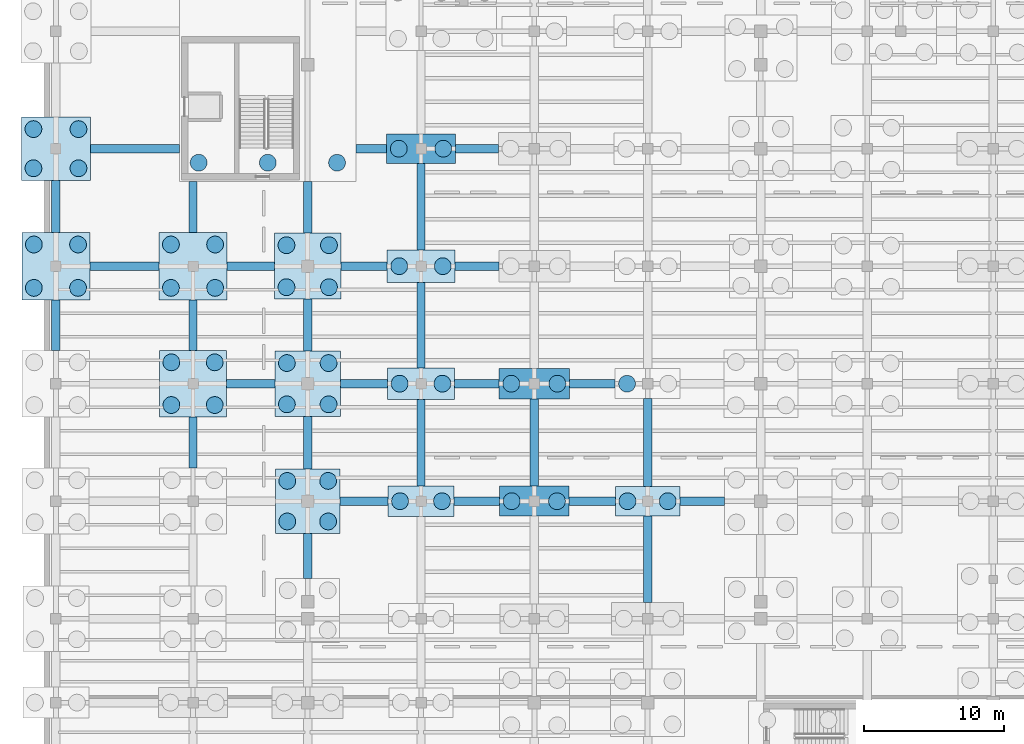
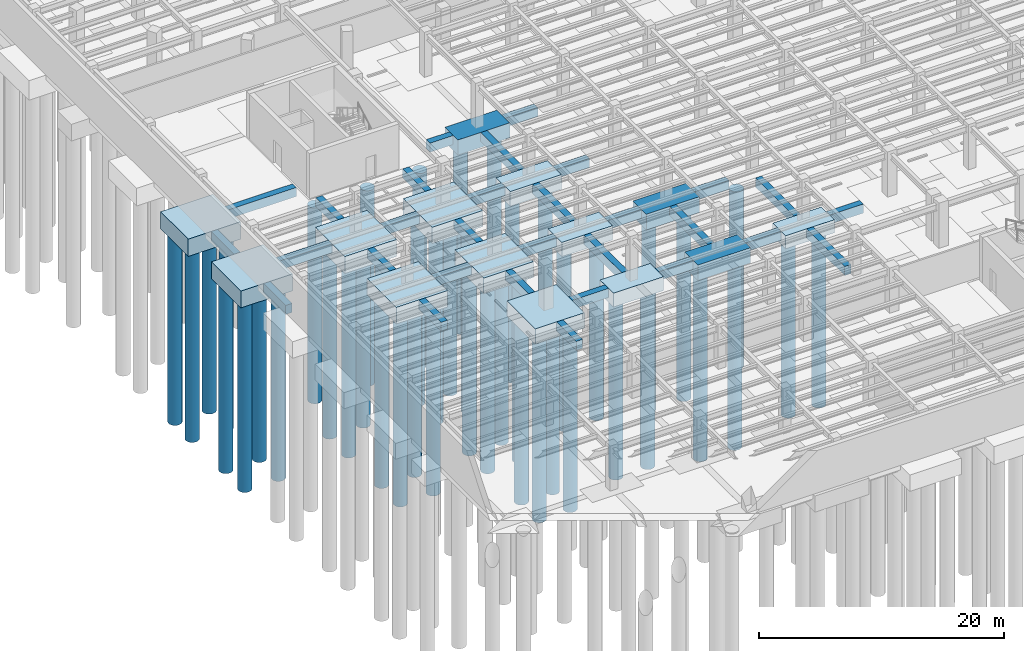
# One storey, part 3 of 49: 46 piles, 44 footings.
"""IFC4 building model written with IfcOpenShell, lengths in metres."""

from ifc_helpers import new_model, si_unit, direction, frame, origin, origin_2d, place, context, subcontext, project, spatial, rectangle, circle, extrude, material, material_profile, profile_set, type_object, element, save


model = new_model("IFC4")

# Units and contexts
model_context = context("Model", 3, precision=1e-05, world=origin(), true_north=direction((0.0, 1.0)))
body_context = subcontext(model_context, "Body", "Model", "MODEL_VIEW")
ifc_project = project(units=[si_unit("LENGTHUNIT", "METRE"), si_unit("AREAUNIT", "SQUARE_METRE"), si_unit("VOLUMEUNIT", "CUBIC_METRE"), si_unit("PLANEANGLEUNIT", "RADIAN"), si_unit("MASSUNIT", "GRAM", prefix="KILO")], contexts=[model_context])

# Site, building, storey
site_placement = place(None, origin())
site = spatial("IfcSite", under=ifc_project, at=site_placement, CompositionType="ELEMENT")
building_placement = place(site_placement, origin())
building = spatial("IfcBuilding", under=site, at=building_placement, Name="Sollismere Congress Hotel", CompositionType="ELEMENT")
storey_placement = place(building_placement, frame((0.0, 0.0, -4.5)))
storey = spatial("IfcBuildingStorey", under=building, at=storey_placement, Name="B1", CompositionType="ELEMENT", Elevation=-4.5)

# Footings
ifc_material = material(Name="Concrete C40/50", Category="concrete")
footing_type_1 = type_object("IfcFootingType", Name="FT-GB600", PredefinedType="FOOTING_BEAM", material=ifc_material)
footing_1_placement = place(storey_placement, frame((22.030029296875, 33.199951171875, -0.89990234375), z_axis=(0.0, 0.0, 1.0), x_axis=(1.0, 0.0, 0.0)))
element("IfcFooting", 1, at=footing_1_placement, inside=storey, type_object=footing_type_1, Name="FTG-GB-051", PredefinedType="FOOTING_BEAM", context=body_context, shape_type="SweptSolid", body=[
    extrude(rectangle(XDim=3.419921875, YDim=0.60009765625, at=origin_2d()), origin(), (0.0, 0.0, 1.0), 0.89990234375),
])
footing_2_placement = place(storey_placement, frame((30.090087890625, 33.199951171875, -0.89990234375), z_axis=(0.0, 0.0, 1.0), x_axis=(1.0, 0.0, 0.0)))
element("IfcFooting", 2, at=footing_2_placement, inside=storey, type_object=footing_type_1, Name="FTG-GB-052", PredefinedType="FOOTING_BEAM", context=body_context, shape_type="SweptSolid", body=[
    extrude(rectangle(XDim=3.260009765625, YDim=0.60009765625, at=origin_2d()), origin(), (0.0, 0.0, 1.0), 0.89990234375),
])
footing_3_placement = place(storey_placement, frame((38.340087890625, 33.199951171875, -0.89990234375), z_axis=(0.0, 0.0, 1.0), x_axis=(1.0, 0.0, 0.0)))
element("IfcFooting", 3, at=footing_3_placement, inside=storey, type_object=footing_type_1, Name="FTG-GB-053", PredefinedType="FOOTING_BEAM", context=body_context, shape_type="SweptSolid", body=[
    extrude(rectangle(XDim=3.320068359375, YDim=0.60009765625, at=origin_2d()), origin(), (0.0, 0.0, 1.0), 0.89990234375),
])
footing_4_placement = place(storey_placement, frame((46.18994140625, 33.199951171875, -0.89990234375), z_axis=(0.0, 0.0, 1.0), x_axis=(1.0, 0.0, 0.0)))
element("IfcFooting", 4, at=footing_4_placement, inside=storey, type_object=footing_type_1, Name="FTG-GB-054", PredefinedType="FOOTING_BEAM", context=body_context, shape_type="SweptSolid", body=[
    extrude(rectangle(XDim=3.179931640625, YDim=0.60009765625, at=origin_2d()), origin(), (0.0, 0.0, 1.0), 0.89990234375),
])
footing_5_placement = place(storey_placement, frame((13.929931640625, 41.60009765625, -0.89990234375), z_axis=(0.0, 0.0, 1.0), x_axis=(1.0, 0.0, 0.0)))
element("IfcFooting", 5, at=footing_5_placement, inside=storey, type_object=footing_type_1, Name="FTG-GB-067", PredefinedType="FOOTING_BEAM", context=body_context, shape_type="SweptSolid", body=[
    extrude(rectangle(XDim=3.43994140625, YDim=0.60009765625, at=origin_2d()), origin(), (0.0, 0.0, 1.0), 0.89990234375),
])
footing_6_placement = place(storey_placement, frame((22.030029296875, 41.60009765625, -0.89990234375), z_axis=(0.0, 0.0, 1.0), x_axis=(1.0, 0.0, 0.0)))
element("IfcFooting", 6, at=footing_6_placement, inside=storey, type_object=footing_type_1, Name="FTG-GB-068", PredefinedType="FOOTING_BEAM", context=body_context, shape_type="SweptSolid", body=[
    extrude(rectangle(XDim=3.360107421875, YDim=0.60009765625, at=origin_2d()), origin(), (0.0, 0.0, 1.0), 0.89990234375),
])
footing_7_placement = place(storey_placement, frame((30.090087890625, 41.60009765625, -0.89990234375), z_axis=(0.0, 0.0, 1.0), x_axis=(1.0, 0.0, 0.0)))
element("IfcFooting", 7, at=footing_7_placement, inside=storey, type_object=footing_type_1, Name="FTG-GB-069", PredefinedType="FOOTING_BEAM", context=body_context, shape_type="SweptSolid", body=[
    extrude(rectangle(XDim=3.199951171875, YDim=0.60009765625, at=origin_2d()), origin(), (0.0, 0.0, 1.0), 0.89990234375),
])
footing_8_placement = place(storey_placement, frame((38.340087890625, 41.60009765625, -0.89990234375), z_axis=(0.0, 0.0, 1.0), x_axis=(1.0, 0.0, 0.0)))
element("IfcFooting", 8, at=footing_8_placement, inside=storey, type_object=footing_type_1, Name="FTG-GB-070", PredefinedType="FOOTING_BEAM", context=body_context, shape_type="SweptSolid", body=[
    extrude(rectangle(XDim=3.260009765625, YDim=0.60009765625, at=origin_2d()), origin(), (0.0, 0.0, 1.0), 0.89990234375),
])
footing_9_placement = place(storey_placement, frame((4.89990234375, 50.0, -0.89990234375), z_axis=(0.0, 0.0, 1.0), x_axis=(1.0, 0.0, 0.0)))
element("IfcFooting", 9, at=footing_9_placement, inside=storey, type_object=footing_type_1, Name="FTG-GB-083", PredefinedType="FOOTING_BEAM", context=body_context, shape_type="SweptSolid", body=[
    extrude(rectangle(XDim=4.919921875, YDim=0.60009765625, at=origin_2d()), origin(), (0.0, 0.0, 1.0), 0.89990234375),
])
footing_10_placement = place(storey_placement, frame((13.929931640625, 50.0, -0.89990234375), z_axis=(0.0, 0.0, 1.0), x_axis=(1.0, 0.0, 0.0)))
element("IfcFooting", 10, at=footing_10_placement, inside=storey, type_object=footing_type_1, Name="FTG-GB-084", PredefinedType="FOOTING_BEAM", context=body_context, shape_type="SweptSolid", body=[
    extrude(rectangle(XDim=3.3798828125, YDim=0.60009765625, at=origin_2d()), origin(), (0.0, 0.0, 1.0), 0.89990234375),
])
footing_11_placement = place(storey_placement, frame((22.030029296875, 50.0, -0.89990234375), z_axis=(0.0, 0.0, 1.0), x_axis=(1.0, 0.0, 0.0)))
element("IfcFooting", 11, at=footing_11_placement, inside=storey, type_object=footing_type_1, Name="FTG-GB-085", PredefinedType="FOOTING_BEAM", context=body_context, shape_type="SweptSolid", body=[
    extrude(rectangle(XDim=3.300048828125, YDim=0.60009765625, at=origin_2d()), origin(), (0.0, 0.0, 1.0), 0.89990234375),
])
footing_12_placement = place(storey_placement, frame((30.090087890625, 50.0, -0.89990234375), z_axis=(0.0, 0.0, 1.0), x_axis=(1.0, 0.0, 0.0)))
element("IfcFooting", 12, at=footing_12_placement, inside=storey, type_object=footing_type_1, Name="FTG-GB-086", PredefinedType="FOOTING_BEAM", context=body_context, shape_type="SweptSolid", body=[
    extrude(rectangle(XDim=3.139892578125, YDim=0.60009765625, at=origin_2d()), origin(), (0.0, 0.0, 1.0), 0.89990234375),
])
footing_13_placement = place(storey_placement, frame((5.66015625, 58.39990234375, -0.89990234375), z_axis=(0.0, 0.0, 1.0), x_axis=(1.0, 0.0, 0.0)))
element("IfcFooting", 13, at=footing_13_placement, inside=storey, type_object=footing_type_1, Name="FTG-GB-098", PredefinedType="FOOTING_BEAM", context=body_context, shape_type="SweptSolid", body=[
    extrude(rectangle(XDim=6.380126953125, YDim=0.60009765625, at=origin_2d()), origin(), (0.0, 0.0, 1.0), 0.89990234375),
])
footing_14_placement = place(storey_placement, frame((22.549072265625, 58.39990234375, -0.89990234375), z_axis=(0.0, 0.0, 1.0), x_axis=(1.0, 0.0, 0.0)))
element("IfcFooting", 14, at=footing_14_placement, inside=storey, type_object=footing_type_1, Name="FTG-GB-099", PredefinedType="FOOTING_BEAM", context=body_context, shape_type="SweptSolid", body=[
    extrude(rectangle(XDim=2.201904296875, YDim=0.60009765625, at=origin_2d()), origin(), (0.0, 0.0, 1.0), 0.89990234375),
])
footing_15_placement = place(storey_placement, frame((30.090087890625, 58.39990234375, -0.89990234375), z_axis=(0.0, 0.0, 1.0), x_axis=(1.0, 0.0, 0.0)))
element("IfcFooting", 15, at=footing_15_placement, inside=storey, type_object=footing_type_1, Name="FTG-GB-100", PredefinedType="FOOTING_BEAM", context=body_context, shape_type="SweptSolid", body=[
    extrude(rectangle(XDim=3.080078125, YDim=0.60009765625, at=origin_2d()), origin(), (0.0, 0.0, 1.0), 0.89990234375),
])
footing_16_placement = place(storey_placement, frame((0.0, 45.78759765625, -0.89990234375), z_axis=(0.0, 0.0, 1.0), x_axis=(0.0, 1.0, 0.0)))
element("IfcFooting", 16, at=footing_16_placement, inside=storey, type_object=footing_type_1, Name="FTG-GB-221", PredefinedType="FOOTING_BEAM", context=body_context, shape_type="SweptSolid", body=[
    extrude(rectangle(XDim=3.60498046875, YDim=0.60009765625, at=origin_2d()), origin(), (0.0, 0.0, 1.0), 0.89990234375),
])
footing_17_placement = place(storey_placement, frame((0.0, 54.27490234375, -0.89990234375), z_axis=(0.0, 0.0, 1.0), x_axis=(0.0, 1.0, 0.0)))
element("IfcFooting", 17, at=footing_17_placement, inside=storey, type_object=footing_type_1, Name="FTG-GB-222", PredefinedType="FOOTING_BEAM", context=body_context, shape_type="SweptSolid", body=[
    extrude(rectangle(XDim=3.72998046875, YDim=0.60009765625, at=origin_2d()), origin(), (0.0, 0.0, 1.0), 0.89990234375),
])
footing_18_placement = place(storey_placement, frame((9.800048828125, 37.387451171875, -0.89990234375), z_axis=(0.0, 0.0, 1.0), x_axis=(0.0, 1.0, 0.0)))
element("IfcFooting", 18, at=footing_18_placement, inside=storey, type_object=footing_type_1, Name="FTG-GB-232", PredefinedType="FOOTING_BEAM", context=body_context, shape_type="SweptSolid", body=[
    extrude(rectangle(XDim=3.655029296875, YDim=0.60009765625, at=origin_2d()), origin(), (0.0, 0.0, 1.0), 0.89990234375),
])
footing_19_placement = place(storey_placement, frame((9.800048828125, 45.78759765625, -0.89990234375), z_axis=(0.0, 0.0, 1.0), x_axis=(0.0, 1.0, 0.0)))
element("IfcFooting", 19, at=footing_19_placement, inside=storey, type_object=footing_type_1, Name="FTG-GB-233", PredefinedType="FOOTING_BEAM", context=body_context, shape_type="SweptSolid", body=[
    extrude(rectangle(XDim=3.60498046875, YDim=0.60009765625, at=origin_2d()), origin(), (0.0, 0.0, 1.0), 0.89990234375),
])
footing_20_placement = place(storey_placement, frame((9.800048828125, 54.22998046875, -0.89990234375), z_axis=(0.0, 0.0, 1.0), x_axis=(0.0, 1.0, 0.0)))
element("IfcFooting", 20, at=footing_20_placement, inside=storey, type_object=footing_type_1, Name="FTG-GB-234", PredefinedType="FOOTING_BEAM", context=body_context, shape_type="SweptSolid", body=[
    extrude(rectangle(XDim=3.639892578125, YDim=0.60009765625, at=origin_2d()), origin(), (0.0, 0.0, 1.0), 0.89990234375),
])
footing_21_placement = place(storey_placement, frame((18.0, 29.28759765625, -0.89990234375), z_axis=(0.0, 0.0, 1.0), x_axis=(0.0, 1.0, 0.0)))
element("IfcFooting", 21, at=footing_21_placement, inside=storey, type_object=footing_type_1, Name="FTG-GB-242", PredefinedType="FOOTING_BEAM", context=body_context, shape_type="SweptSolid", body=[
    extrude(rectangle(XDim=3.205078125, YDim=0.60009765625, at=origin_2d()), origin(), (0.0, 0.0, 1.0), 0.89990234375),
])
footing_22_placement = place(storey_placement, frame((18.0, 37.387451171875, -0.89990234375), z_axis=(0.0, 0.0, 1.0), x_axis=(0.0, 1.0, 0.0)))
element("IfcFooting", 22, at=footing_22_placement, inside=storey, type_object=footing_type_1, Name="FTG-GB-243", PredefinedType="FOOTING_BEAM", context=body_context, shape_type="SweptSolid", body=[
    extrude(rectangle(XDim=3.7548828125, YDim=0.60009765625, at=origin_2d()), origin(), (0.0, 0.0, 1.0), 0.89990234375),
])
footing_23_placement = place(storey_placement, frame((18.0, 45.78759765625, -0.89990234375), z_axis=(0.0, 0.0, 1.0), x_axis=(0.0, 1.0, 0.0)))
element("IfcFooting", 23, at=footing_23_placement, inside=storey, type_object=footing_type_1, Name="FTG-GB-244", PredefinedType="FOOTING_BEAM", context=body_context, shape_type="SweptSolid", body=[
    extrude(rectangle(XDim=3.705078125, YDim=0.60009765625, at=origin_2d()), origin(), (0.0, 0.0, 1.0), 0.89990234375),
])
footing_24_placement = place(storey_placement, frame((18.0, 54.204833984375, -0.89990234375), z_axis=(0.0, 0.0, 1.0), x_axis=(0.0, 1.0, 0.0)))
element("IfcFooting", 24, at=footing_24_placement, inside=storey, type_object=footing_type_1, Name="FTG-GB-245", PredefinedType="FOOTING_BEAM", context=body_context, shape_type="SweptSolid", body=[
    extrude(rectangle(XDim=3.68994140625, YDim=0.60009765625, at=origin_2d()), origin(), (0.0, 0.0, 1.0), 0.89990234375),
])
footing_25_placement = place(storey_placement, frame((26.10009765625, 37.387451171875, -0.89990234375), z_axis=(0.0, 0.0, 1.0), x_axis=(0.0, 1.0, 0.0)))
element("IfcFooting", 25, at=footing_25_placement, inside=storey, type_object=footing_type_1, Name="FTG-GB-255", PredefinedType="FOOTING_BEAM", context=body_context, shape_type="SweptSolid", body=[
    extrude(rectangle(XDim=6.175048828125, YDim=0.60009765625, at=origin_2d()), origin(), (0.0, 0.0, 1.0), 0.89990234375),
])
footing_26_placement = place(storey_placement, frame((26.10009765625, 45.78759765625, -0.89990234375), z_axis=(0.0, 0.0, 1.0), x_axis=(0.0, 1.0, 0.0)))
element("IfcFooting", 26, at=footing_26_placement, inside=storey, type_object=footing_type_1, Name="FTG-GB-256", PredefinedType="FOOTING_BEAM", context=body_context, shape_type="SweptSolid", body=[
    extrude(rectangle(XDim=6.125, YDim=0.60009765625, at=origin_2d()), origin(), (0.0, 0.0, 1.0), 0.89990234375),
])
footing_27_placement = place(storey_placement, frame((26.10009765625, 54.25, -0.89990234375), z_axis=(0.0, 0.0, 1.0), x_axis=(0.0, 1.0, 0.0)))
element("IfcFooting", 27, at=footing_27_placement, inside=storey, type_object=footing_type_1, Name="FTG-GB-257", PredefinedType="FOOTING_BEAM", context=body_context, shape_type="SweptSolid", body=[
    extrude(rectangle(XDim=6.199951171875, YDim=0.60009765625, at=origin_2d()), origin(), (0.0, 0.0, 1.0), 0.89990234375),
])
footing_28_placement = place(storey_placement, frame((34.199951171875, 37.387451171875, -0.89990234375), z_axis=(0.0, 0.0, 1.0), x_axis=(0.0, 1.0, 0.0)))
element("IfcFooting", 28, at=footing_28_placement, inside=storey, type_object=footing_type_1, Name="FTG-GB-268", PredefinedType="FOOTING_BEAM", context=body_context, shape_type="SweptSolid", body=[
    extrude(rectangle(XDim=6.22509765625, YDim=0.60009765625, at=origin_2d()), origin(), (0.0, 0.0, 1.0), 0.89990234375),
])
footing_29_placement = place(storey_placement, frame((42.300048828125, 29.050048828125, -0.89990234375), z_axis=(0.0, 0.0, 1.0), x_axis=(0.0, 1.0, 0.0)))
element("IfcFooting", 29, at=footing_29_placement, inside=storey, type_object=footing_type_1, Name="FTG-GB-280", PredefinedType="FOOTING_BEAM", context=body_context, shape_type="SweptSolid", body=[
    extrude(rectangle(XDim=6.199951171875, YDim=0.60009765625, at=origin_2d()), origin(), (0.0, 0.0, 1.0), 0.89990234375),
])
footing_30_placement = place(storey_placement, frame((42.300048828125, 37.387451171875, -0.89990234375), z_axis=(0.0, 0.0, 1.0), x_axis=(0.0, 1.0, 0.0)))
element("IfcFooting", 30, at=footing_30_placement, inside=storey, type_object=footing_type_1, Name="FTG-GB-281", PredefinedType="FOOTING_BEAM", context=body_context, shape_type="SweptSolid", body=[
    extrude(rectangle(XDim=6.27490234375, YDim=0.60009765625, at=origin_2d()), origin(), (0.0, 0.0, 1.0), 0.89990234375),
])
footing_type_2 = type_object("IfcFootingType", Name="FT-PC2-01", PredefinedType="PILE_CAP", material=ifc_material)
footing_31_placement = place(storey_placement, frame((42.300048828125, 33.199951171875, -1.2998046875), z_axis=(0.0, 0.0, 1.0), x_axis=(1.0, 0.0, 0.0)))
element("IfcFooting", 31, at=footing_31_placement, inside=storey, type_object=footing_type_2, Name="Reinforced concrete pile cap PC-071", PredefinedType="PILE_CAP", context=body_context, shape_type="SweptSolid", body=[
    extrude(rectangle(XDim=4.60009765625, YDim=2.10009765625, at=origin_2d()), origin(), (0.0, 0.0, 1.0), 1.300048828125),
])
footing_type_3 = type_object("IfcFootingType", Name="FT-PC2-03", PredefinedType="PILE_CAP", material=ifc_material)
footing_32_placement = place(storey_placement, frame((26.10009765625, 33.199951171875, -1.3798828125), z_axis=(0.0, 0.0, 1.0), x_axis=(1.0, 0.0, 0.0)))
element("IfcFooting", 32, at=footing_32_placement, inside=storey, type_object=footing_type_3, Name="Reinforced concrete pile cap PC-043", PredefinedType="PILE_CAP", context=body_context, shape_type="SweptSolid", body=[
    extrude(rectangle(XDim=4.719970703125, YDim=2.199951171875, at=origin_2d()), origin(), (0.0, 0.0, 1.0), 1.3798828125),
])
footing_type_4 = type_object("IfcFootingType", Name="FT-PC2-04", PredefinedType="PILE_CAP", material=ifc_material)
footing_33_placement = place(storey_placement, frame((26.10009765625, 41.60009765625, -1.419921875), z_axis=(0.0, 0.0, 1.0), x_axis=(1.0, 0.0, 0.0)))
element("IfcFooting", 33, at=footing_33_placement, inside=storey, type_object=footing_type_4, Name="Reinforced concrete pile cap PC-044", PredefinedType="PILE_CAP", context=body_context, shape_type="SweptSolid", body=[
    extrude(rectangle(XDim=4.780029296875, YDim=2.25, at=origin_2d()), origin(), (0.0, 0.0, 1.0), 1.419921875),
])
footing_type_5 = type_object("IfcFootingType", Name="FT-PC2-05", PredefinedType="PILE_CAP", material=ifc_material)
footing_34_placement = place(storey_placement, frame((26.10009765625, 50.0, -1.4599609375), z_axis=(0.0, 0.0, 1.0), x_axis=(1.0, 0.0, 0.0)))
element("IfcFooting", 34, at=footing_34_placement, inside=storey, type_object=footing_type_5, Name="Reinforced concrete pile cap PC-045", PredefinedType="PILE_CAP", context=body_context, shape_type="SweptSolid", body=[
    extrude(rectangle(XDim=4.840087890625, YDim=2.300048828125, at=origin_2d()), origin(), (0.0, 0.0, 1.0), 1.4599609375),
])
footing_type_6 = type_object("IfcFootingType", Name="FT-PC2-06", PredefinedType="PILE_CAP", material=ifc_material)
footing_35_placement = place(storey_placement, frame((26.10009765625, 58.39990234375, -1.5), z_axis=(0.0, 0.0, 1.0), x_axis=(1.0, 0.0, 0.0)))
element("IfcFooting", 35, at=footing_35_placement, inside=storey, type_object=footing_type_6, Name="Reinforced concrete pile cap PC-046", PredefinedType="PILE_CAP", context=body_context, shape_type="SweptSolid", body=[
    extrude(rectangle(XDim=4.89990234375, YDim=2.10009765625, at=origin_2d()), origin(), (0.0, 0.0, 1.0), 1.5),
])
footing_type_7 = type_object("IfcFootingType", Name="FT-PC2-07", PredefinedType="PILE_CAP", material=ifc_material)
footing_36_placement = place(storey_placement, frame((34.199951171875, 33.199951171875, -1.5400390625), z_axis=(0.0, 0.0, 1.0), x_axis=(1.0, 0.0, 0.0)))
element("IfcFooting", 36, at=footing_36_placement, inside=storey, type_object=footing_type_7, Name="Reinforced concrete pile cap PC-057", PredefinedType="PILE_CAP", context=body_context, shape_type="SweptSolid", body=[
    extrude(rectangle(XDim=4.9599609375, YDim=2.14990234375, at=origin_2d()), origin(), (0.0, 0.0, 1.0), 1.5400390625),
])
footing_type_8 = type_object("IfcFootingType", Name="FT-PC2-08", PredefinedType="PILE_CAP", material=ifc_material)
footing_37_placement = place(storey_placement, frame((34.199951171875, 41.60009765625, -1.580078125), z_axis=(0.0, 0.0, 1.0), x_axis=(1.0, 0.0, 0.0)))
element("IfcFooting", 37, at=footing_37_placement, inside=storey, type_object=footing_type_8, Name="Reinforced concrete pile cap PC-058", PredefinedType="PILE_CAP", context=body_context, shape_type="SweptSolid", body=[
    extrude(rectangle(XDim=5.02001953125, YDim=2.199951171875, at=origin_2d()), origin(), (0.0, 0.0, 1.0), 1.580078125),
])
footing_type_9 = type_object("IfcFootingType", Name="FT-PC4-03", PredefinedType="PILE_CAP", material=ifc_material)
footing_38_placement = place(storey_placement, frame((18.0, 33.199951171875, -1.52978515625), z_axis=(0.0, 0.0, 1.0), x_axis=(1.0, 0.0, 0.0)))
element("IfcFooting", 38, at=footing_38_placement, inside=storey, type_object=footing_type_9, Name="Reinforced concrete pile cap PC-031", PredefinedType="PILE_CAP", context=body_context, shape_type="SweptSolid", body=[
    extrude(rectangle(XDim=4.639892578125, YDim=4.6201171875, at=origin_2d()), origin(), (0.0, 0.0, 1.0), 1.530029296875),
])
footing_type_10 = type_object("IfcFootingType", Name="FT-PC4-04", PredefinedType="PILE_CAP", material=ifc_material)
footing_39_placement = place(storey_placement, frame((18.0, 41.60009765625, -1.56982421875), z_axis=(0.0, 0.0, 1.0), x_axis=(1.0, 0.0, 0.0)))
element("IfcFooting", 39, at=footing_39_placement, inside=storey, type_object=footing_type_10, Name="Reinforced concrete pile cap PC-032", PredefinedType="PILE_CAP", context=body_context, shape_type="SweptSolid", body=[
    extrude(rectangle(XDim=4.699951171875, YDim=4.669921875, at=origin_2d()), origin(), (0.0, 0.0, 1.0), 1.570068359375),
])
footing_type_11 = type_object("IfcFootingType", Name="FT-PC4-05", PredefinedType="PILE_CAP", material=ifc_material)
footing_40_placement = place(storey_placement, frame((18.0, 50.0, -1.60986328125), z_axis=(0.0, 0.0, 1.0), x_axis=(1.0, 0.0, 0.0)))
element("IfcFooting", 40, at=footing_40_placement, inside=storey, type_object=footing_type_11, Name="Reinforced concrete pile cap PC-033", PredefinedType="PILE_CAP", context=body_context, shape_type="SweptSolid", body=[
    extrude(rectangle(XDim=4.760009765625, YDim=4.719970703125, at=origin_2d()), origin(), (0.0, 0.0, 1.0), 1.610107421875),
])
footing_type_12 = type_object("IfcFootingType", Name="FT-PC4-06", PredefinedType="PILE_CAP", material=ifc_material)
footing_41_placement = place(storey_placement, frame((9.800048828125, 41.60009765625, -1.64990234375), z_axis=(0.0, 0.0, 1.0), x_axis=(1.0, 0.0, 0.0)))
element("IfcFooting", 41, at=footing_41_placement, inside=storey, type_object=footing_type_12, Name="Reinforced concrete pile cap PC-020", PredefinedType="PILE_CAP", context=body_context, shape_type="SweptSolid", body=[
    extrude(rectangle(XDim=4.820068359375, YDim=4.77001953125, at=origin_2d()), origin(), (0.0, 0.0, 1.0), 1.64990234375),
])
footing_type_13 = type_object("IfcFootingType", Name="FT-PC4-07", PredefinedType="PILE_CAP", material=ifc_material)
for number, where, z_axis, x_axis, name in (
    (42, (0.0, 50.0, -1.68994140625), (0.0, 0.0, 1.0), (1.0, 0.0, 0.0), "Reinforced concrete pile cap PC-007"),
    (43, (9.800048828125, 50.0, -1.68994140625), (0.0, 0.0, 1.0), (1.0, 0.0, 0.0), "Reinforced concrete pile cap PC-021"),
):
    element("IfcFooting", number, at=place(storey_placement, frame(where, z_axis=z_axis, x_axis=x_axis)), inside=storey, type_object=footing_type_13, Name=name, PredefinedType="PILE_CAP", context=body_context, shape_type="SweptSolid", body=[
        extrude(rectangle(XDim=4.8798828125, YDim=4.820068359375, at=origin_2d()), origin(), (0.0, 0.0, 1.0), 1.68994140625),
    ])
footing_type_14 = type_object("IfcFootingType", Name="FT-PC4-08", PredefinedType="PILE_CAP", material=ifc_material)
footing_42_placement = place(storey_placement, frame((0.0, 58.39990234375, -1.72998046875), z_axis=(0.0, 0.0, 1.0), x_axis=(1.0, 0.0, 0.0)))
element("IfcFooting", 44, at=footing_42_placement, inside=storey, type_object=footing_type_14, Name="Reinforced concrete pile cap PC-008", PredefinedType="PILE_CAP", context=body_context, shape_type="SweptSolid", body=[
    extrude(rectangle(XDim=4.93994140625, YDim=4.52001953125, at=origin_2d()), origin(), (0.0, 0.0, 1.0), 1.72998046875),
])

# Piles
ifc_material_profile = material_profile(ifc_material, circle(Radius=0.60009765625, at=origin_2d()), Name="CAISSON1200")
ifc_profile_set = profile_set([ifc_material_profile], Name="Concrete C40/50")
pile_type = type_object("IfcPileType", Name="PL-CS1200", PredefinedType="BORED", material=ifc_profile_set)
for number, where, z_axis, x_axis, name in (
    (45, (-1.580078125, 48.449951171875, -1.590087890625), (0.0, 0.0, -1.0), (1.0, 0.0, 0.0), "Bored rock-socketed caisson PL-019"),
    (46, (1.580078125, 48.449951171875, -1.590087890625), (0.0, 0.0, -1.0), (1.0, 0.0, 0.0), "Bored rock-socketed caisson PL-020"),
    (47, (-1.580078125, 51.550048828125, -1.590087890625), (0.0, 0.0, -1.0), (1.0, 0.0, 0.0), "Bored rock-socketed caisson PL-021"),
    (48, (1.580078125, 51.550048828125, -1.590087890625), (0.0, 0.0, -1.0), (1.0, 0.0, 0.0), "Bored rock-socketed caisson PL-022"),
):
    element("IfcPile", number, at=place(storey_placement, frame(where, z_axis=z_axis, x_axis=x_axis)), inside=storey, type_object=pile_type, Name=name, PredefinedType="BORED", context=body_context, shape_type="SweptSolid", body=[
        extrude(circle(Radius=0.60009765625, at=origin_2d()), origin(), (0.0, 0.0, 1.0), 18.89990234375),
    ])
for number, where, z_axis, x_axis, name in (
    (49, (-1.610107421875, 57.0, -1.6298828125), (0.0, 0.0, -1.0), (1.0, 0.0, 0.0), "Bored rock-socketed caisson PL-023"),
    (50, (1.610107421875, 57.0, -1.6298828125), (0.0, 0.0, -1.0), (1.0, 0.0, 0.0), "Bored rock-socketed caisson PL-024"),
    (51, (-1.610107421875, 59.800048828125, -1.6298828125), (0.0, 0.0, -1.0), (1.0, 0.0, 0.0), "Bored rock-socketed caisson PL-025"),
    (52, (1.610107421875, 59.800048828125, -1.6298828125), (0.0, 0.0, -1.0), (1.0, 0.0, 0.0), "Bored rock-socketed caisson PL-026"),
):
    element("IfcPile", number, at=place(storey_placement, frame(where, z_axis=z_axis, x_axis=x_axis)), inside=storey, type_object=pile_type, Name=name, PredefinedType="BORED", context=body_context, shape_type="SweptSolid", body=[
        extrude(circle(Radius=0.60009765625, at=origin_2d()), origin(), (0.0, 0.0, 1.0), 19.050048828125),
    ])
for number, where, z_axis, x_axis, name in (
    (53, (8.25, 40.074951171875, -1.550048828125), (0.0, 0.0, -1.0), (1.0, 0.0, 0.0), "Bored rock-socketed caisson PL-063"),
    (54, (11.35009765625, 40.074951171875, -1.550048828125), (0.0, 0.0, -1.0), (1.0, 0.0, 0.0), "Bored rock-socketed caisson PL-064"),
    (55, (8.25, 43.125, -1.550048828125), (0.0, 0.0, -1.0), (1.0, 0.0, 0.0), "Bored rock-socketed caisson PL-065"),
    (56, (11.35009765625, 43.125, -1.550048828125), (0.0, 0.0, -1.0), (1.0, 0.0, 0.0), "Bored rock-socketed caisson PL-066"),
):
    element("IfcPile", number, at=place(storey_placement, frame(where, z_axis=z_axis, x_axis=x_axis)), inside=storey, type_object=pile_type, Name=name, PredefinedType="BORED", context=body_context, shape_type="SweptSolid", body=[
        extrude(circle(Radius=0.60009765625, at=origin_2d()), origin(), (0.0, 0.0, 1.0), 18.75),
    ])
for number, where, z_axis, x_axis, name in (
    (57, (8.219970703125, 48.449951171875, -1.590087890625), (0.0, 0.0, -1.0), (1.0, 0.0, 0.0), "Bored rock-socketed caisson PL-067"),
    (58, (11.3798828125, 48.449951171875, -1.590087890625), (0.0, 0.0, -1.0), (1.0, 0.0, 0.0), "Bored rock-socketed caisson PL-068"),
    (59, (8.219970703125, 51.550048828125, -1.590087890625), (0.0, 0.0, -1.0), (1.0, 0.0, 0.0), "Bored rock-socketed caisson PL-069"),
    (60, (11.3798828125, 51.550048828125, -1.590087890625), (0.0, 0.0, -1.0), (1.0, 0.0, 0.0), "Bored rock-socketed caisson PL-070"),
):
    element("IfcPile", number, at=place(storey_placement, frame(where, z_axis=z_axis, x_axis=x_axis)), inside=storey, type_object=pile_type, Name=name, PredefinedType="BORED", context=body_context, shape_type="SweptSolid", body=[
        extrude(circle(Radius=0.60009765625, at=origin_2d()), origin(), (0.0, 0.0, 1.0), 18.89990234375),
    ])
for number, where, z_axis, x_axis, name in (
    (61, (16.5400390625, 31.75, -1.429931640625), (0.0, 0.0, -1.0), (1.0, 0.0, 0.0), "Bored rock-socketed caisson PL-095"),
    (62, (19.4599609375, 31.75, -1.429931640625), (0.0, 0.0, -1.0), (1.0, 0.0, 0.0), "Bored rock-socketed caisson PL-096"),
    (63, (16.5400390625, 34.64990234375, -1.429931640625), (0.0, 0.0, -1.0), (1.0, 0.0, 0.0), "Bored rock-socketed caisson PL-097"),
    (64, (19.4599609375, 34.64990234375, -1.429931640625), (0.0, 0.0, -1.0), (1.0, 0.0, 0.0), "Bored rock-socketed caisson PL-098"),
):
    element("IfcPile", number, at=place(storey_placement, frame(where, z_axis=z_axis, x_axis=x_axis)), inside=storey, type_object=pile_type, Name=name, PredefinedType="BORED", context=body_context, shape_type="SweptSolid", body=[
        extrude(circle(Radius=0.60009765625, at=origin_2d()), origin(), (0.0, 0.0, 1.0), 18.300048828125),
    ])
for number, where, z_axis, x_axis, name in (
    (65, (16.510009765625, 40.125, -1.469970703125), (0.0, 0.0, -1.0), (1.0, 0.0, 0.0), "Bored rock-socketed caisson PL-099"),
    (66, (19.489990234375, 40.125, -1.469970703125), (0.0, 0.0, -1.0), (1.0, 0.0, 0.0), "Bored rock-socketed caisson PL-100"),
    (67, (16.510009765625, 43.074951171875, -1.469970703125), (0.0, 0.0, -1.0), (1.0, 0.0, 0.0), "Bored rock-socketed caisson PL-101"),
    (68, (19.489990234375, 43.074951171875, -1.469970703125), (0.0, 0.0, -1.0), (1.0, 0.0, 0.0), "Bored rock-socketed caisson PL-102"),
):
    element("IfcPile", number, at=place(storey_placement, frame(where, z_axis=z_axis, x_axis=x_axis)), inside=storey, type_object=pile_type, Name=name, PredefinedType="BORED", context=body_context, shape_type="SweptSolid", body=[
        extrude(circle(Radius=0.60009765625, at=origin_2d()), origin(), (0.0, 0.0, 1.0), 18.449951171875),
    ])
for number, where, z_axis, x_axis, name in (
    (69, (16.47998046875, 48.5, -1.510009765625), (0.0, 0.0, -1.0), (1.0, 0.0, 0.0), "Bored rock-socketed caisson PL-103"),
    (70, (19.52001953125, 48.5, -1.510009765625), (0.0, 0.0, -1.0), (1.0, 0.0, 0.0), "Bored rock-socketed caisson PL-104"),
    (71, (16.47998046875, 51.5, -1.510009765625), (0.0, 0.0, -1.0), (1.0, 0.0, 0.0), "Bored rock-socketed caisson PL-105"),
    (72, (19.52001953125, 51.5, -1.510009765625), (0.0, 0.0, -1.0), (1.0, 0.0, 0.0), "Bored rock-socketed caisson PL-106"),
):
    element("IfcPile", number, at=place(storey_placement, frame(where, z_axis=z_axis, x_axis=x_axis)), inside=storey, type_object=pile_type, Name=name, PredefinedType="BORED", context=body_context, shape_type="SweptSolid", body=[
        extrude(circle(Radius=0.60009765625, at=origin_2d()), origin(), (0.0, 0.0, 1.0), 18.60009765625),
    ])
for number, where, z_axis, x_axis, name in (
    (73, (24.60009765625, 33.199951171875, -1.280029296875), (0.0, 0.0, -1.0), (1.0, 0.0, 0.0), "Bored rock-socketed caisson PL-127"),
    (74, (27.60009765625, 33.199951171875, -1.280029296875), (0.0, 0.0, -1.0), (1.0, 0.0, 0.0), "Bored rock-socketed caisson PL-128"),
):
    element("IfcPile", number, at=place(storey_placement, frame(where, z_axis=z_axis, x_axis=x_axis)), inside=storey, type_object=pile_type, Name=name, PredefinedType="BORED", context=body_context, shape_type="SweptSolid", body=[
        extrude(circle(Radius=0.60009765625, at=origin_2d()), origin(), (0.0, 0.0, 1.0), 17.89990234375),
    ])
for number, where, z_axis, x_axis, name in (
    (75, (24.570068359375, 41.60009765625, -1.320068359375), (0.0, 0.0, -1.0), (1.0, 0.0, 0.0), "Bored rock-socketed caisson PL-129"),
    (76, (27.6298828125, 41.60009765625, -1.320068359375), (0.0, 0.0, -1.0), (1.0, 0.0, 0.0), "Bored rock-socketed caisson PL-130"),
):
    element("IfcPile", number, at=place(storey_placement, frame(where, z_axis=z_axis, x_axis=x_axis)), inside=storey, type_object=pile_type, Name=name, PredefinedType="BORED", context=body_context, shape_type="SweptSolid", body=[
        extrude(circle(Radius=0.60009765625, at=origin_2d()), origin(), (0.0, 0.0, 1.0), 18.10009765625),
    ])
for number, where, z_axis, x_axis, name in (
    (77, (24.5400390625, 50.0, -1.360107421875), (0.0, 0.0, -1.0), (1.0, 0.0, 0.0), "Bored rock-socketed caisson PL-131"),
    (78, (27.659912109375, 50.0, -1.360107421875), (0.0, 0.0, -1.0), (1.0, 0.0, 0.0), "Bored rock-socketed caisson PL-132"),
):
    element("IfcPile", number, at=place(storey_placement, frame(where, z_axis=z_axis, x_axis=x_axis)), inside=storey, type_object=pile_type, Name=name, PredefinedType="BORED", context=body_context, shape_type="SweptSolid", body=[
        extrude(circle(Radius=0.60009765625, at=origin_2d()), origin(), (0.0, 0.0, 1.0), 18.300048828125),
    ])
for number, where, z_axis, x_axis, name in (
    (79, (24.510009765625, 58.39990234375, -1.39990234375), (0.0, 0.0, -1.0), (1.0, 0.0, 0.0), "Bored rock-socketed caisson PL-133"),
    (80, (27.68994140625, 58.39990234375, -1.39990234375), (0.0, 0.0, -1.0), (1.0, 0.0, 0.0), "Bored rock-socketed caisson PL-134"),
):
    element("IfcPile", number, at=place(storey_placement, frame(where, z_axis=z_axis, x_axis=x_axis)), inside=storey, type_object=pile_type, Name=name, PredefinedType="BORED", context=body_context, shape_type="SweptSolid", body=[
        extrude(circle(Radius=0.60009765625, at=origin_2d()), origin(), (0.0, 0.0, 1.0), 18.5),
    ])
for number, where, z_axis, x_axis, name in (
    (81, (32.580078125, 33.199951171875, -1.43994140625), (0.0, 0.0, -1.0), (1.0, 0.0, 0.0), "Bored rock-socketed caisson PL-169"),
    (82, (35.820068359375, 33.199951171875, -1.43994140625), (0.0, 0.0, -1.0), (1.0, 0.0, 0.0), "Bored rock-socketed caisson PL-170"),
):
    element("IfcPile", number, at=place(storey_placement, frame(where, z_axis=z_axis, x_axis=x_axis)), inside=storey, type_object=pile_type, Name=name, PredefinedType="BORED", context=body_context, shape_type="SweptSolid", body=[
        extrude(circle(Radius=0.60009765625, at=origin_2d()), origin(), (0.0, 0.0, 1.0), 18.699951171875),
    ])
for number, where, z_axis, x_axis, name in (
    (83, (32.550048828125, 41.60009765625, -1.47998046875), (0.0, 0.0, -1.0), (1.0, 0.0, 0.0), "Bored rock-socketed caisson PL-171"),
    (84, (35.85009765625, 41.60009765625, -1.47998046875), (0.0, 0.0, -1.0), (1.0, 0.0, 0.0), "Bored rock-socketed caisson PL-172"),
):
    element("IfcPile", number, at=place(storey_placement, frame(where, z_axis=z_axis, x_axis=x_axis)), inside=storey, type_object=pile_type, Name=name, PredefinedType="BORED", context=body_context, shape_type="SweptSolid", body=[
        extrude(circle(Radius=0.60009765625, at=origin_2d()), origin(), (0.0, 0.0, 1.0), 18.89990234375),
    ])
for number, where, z_axis, x_axis, name in (
    (85, (40.860107421875, 33.199951171875, -1.199951171875), (0.0, 0.0, -1.0), (1.0, 0.0, 0.0), "Bored rock-socketed caisson PL-201"),
    (86, (43.739990234375, 33.199951171875, -1.199951171875), (0.0, 0.0, -1.0), (1.0, 0.0, 0.0), "Bored rock-socketed caisson PL-202"),
):
    element("IfcPile", number, at=place(storey_placement, frame(where, z_axis=z_axis, x_axis=x_axis)), inside=storey, type_object=pile_type, Name=name, PredefinedType="BORED", context=body_context, shape_type="SweptSolid", body=[
        extrude(circle(Radius=0.60009765625, at=origin_2d()), origin(), (0.0, 0.0, 1.0), 17.5),
    ])
pile_placement = place(storey_placement, frame((40.830078125, 41.60009765625, -1.239990234375), z_axis=(0.0, 0.0, -1.0), x_axis=(1.0, 0.0, 0.0)))
element("IfcPile", 87, at=pile_placement, inside=storey, type_object=pile_type, Name="Bored rock-socketed caisson PL-203", PredefinedType="BORED", context=body_context, shape_type="SweptSolid", body=[
    extrude(circle(Radius=0.60009765625, at=origin_2d()), origin(), (0.0, 0.0, 1.0), 17.699951171875),
])
for number, where, z_axis, x_axis, name in (
    (88, (10.2001953125, 57.3994140625, -1.699951171875), (0.0, 0.0, -1.0), (1.0, 0.0, 0.0), "Bored rock-socketed caisson PL-837"),
    (89, (15.149169921875, 57.3994140625, -1.699951171875), (0.0, 0.0, -1.0), (1.0, 0.0, 0.0), "Bored rock-socketed caisson PL-839"),
    (90, (20.09814453125, 57.3994140625, -1.699951171875), (0.0, 0.0, -1.0), (1.0, 0.0, 0.0), "Bored rock-socketed caisson PL-841"),
):
    element("IfcPile", number, at=place(storey_placement, frame(where, z_axis=z_axis, x_axis=x_axis)), inside=storey, type_object=pile_type, Name=name, PredefinedType="BORED", context=body_context, shape_type="SweptSolid", body=[
        extrude(circle(Radius=0.60009765625, at=origin_2d()), origin(), (0.0, 0.0, 1.0), 19.5),
    ])

save(model, "model.ifc")
